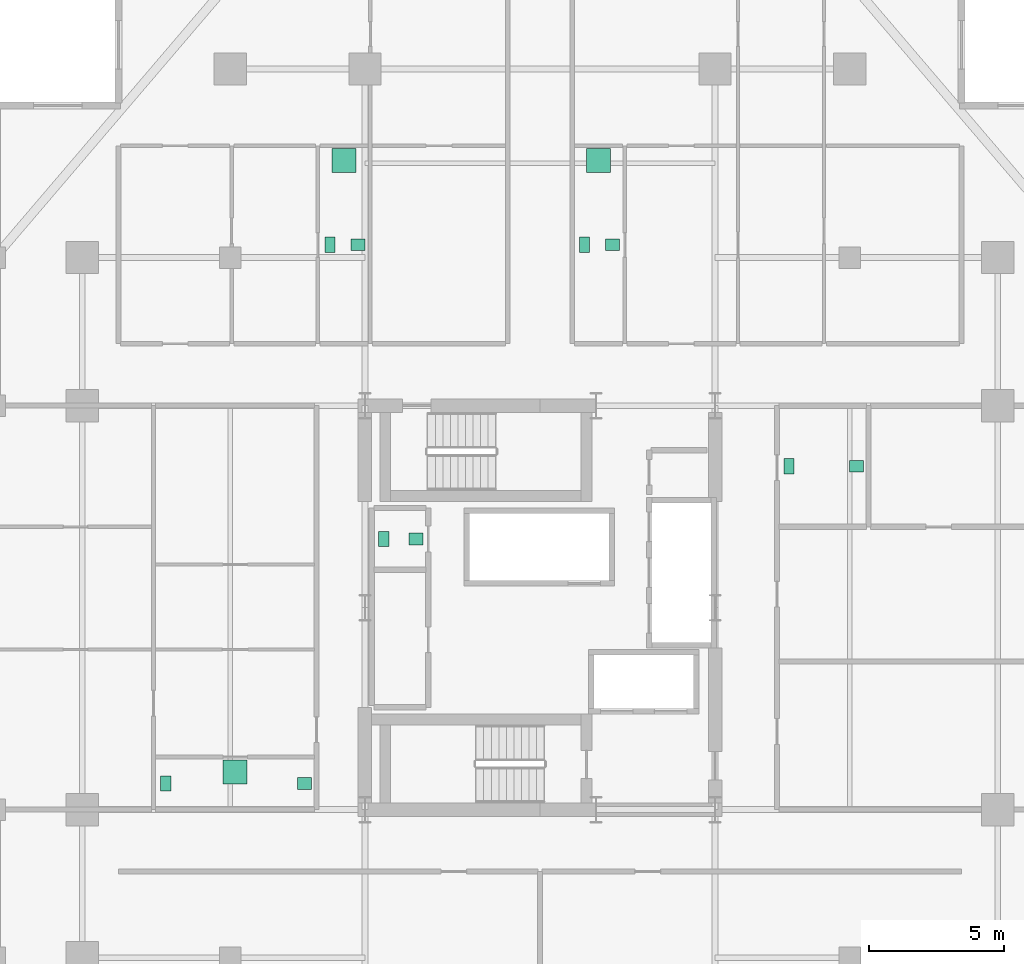
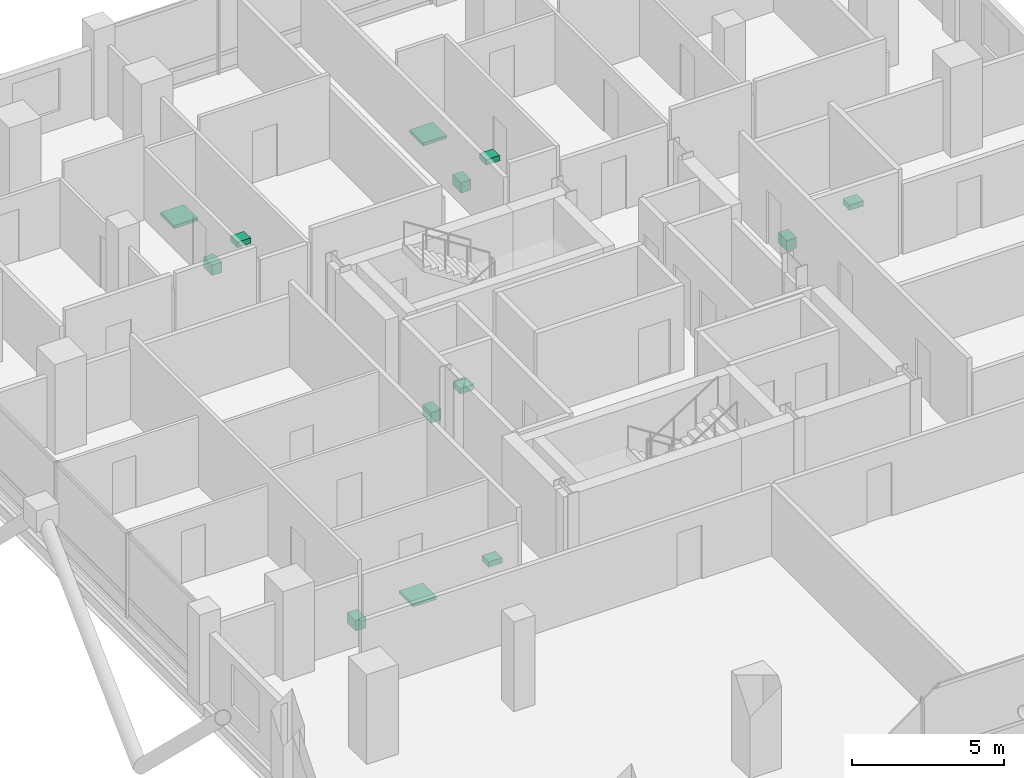
# One storey, part 22 of 22: 13 sanitary terminals.
"""IFC4 building model written with IfcOpenShell, lengths in metres."""

from ifc_helpers import new_model, si_unit, direction, frame, origin, origin_2d, place, context, subcontext, project, spatial, rectangle, extrude, material, type_object, element, save


model = new_model("IFC4")

# Units and contexts
model_context = context("Model", 3, precision=1e-05, world=origin(), true_north=direction((0.0, 1.0)))
body_context = subcontext(model_context, "Body", "Model", "MODEL_VIEW")
ifc_project = project(units=[si_unit("LENGTHUNIT", "METRE"), si_unit("AREAUNIT", "SQUARE_METRE"), si_unit("VOLUMEUNIT", "CUBIC_METRE"), si_unit("PLANEANGLEUNIT", "RADIAN"), si_unit("MASSUNIT", "GRAM", prefix="KILO")], contexts=[model_context])

# Site, building, storey
site_placement = place(None, origin())
site = spatial("IfcSite", under=ifc_project, at=site_placement, CompositionType="ELEMENT")
building_placement = place(site_placement, origin())
building = spatial("IfcBuilding", under=site, at=building_placement, Name="Barlavira Tower and Art Museum", CompositionType="ELEMENT")
storey_placement = place(building_placement, frame((0.0, 0.0, 129.60009765625)))
storey = spatial("IfcBuildingStorey", under=building, at=storey_placement, Name="L32", CompositionType="ELEMENT", Elevation=129.60009765625)

# Sanitary terminals
ifc_material = material(Name="Vitreous glazed ceramic", Category="ceramic")
sanitary_terminal_type_1 = type_object("IfcSanitaryTerminalType", Name="Countertop Ceramic Wash Hand Basin", PredefinedType="WASHHANDBASIN", material=ifc_material)
for number, where, z_axis, x_axis, name in (
    (1, (-4.60009765625, 2.550048828125, 0.73974609375), (0.0, 0.0, 1.0), (1.0, 0.0, 0.0), "L32-C-REC1W Wash Basin"),
    (2, (11.75, 5.25, 0.73974609375), (0.0, 0.0, 1.0), (1.0, 0.0, 0.0), "L32-SKY-AWC Wash Basin"),
    (3, (-6.75, 13.47509765625, 0.73974609375), (0.0, 0.0, 1.0), (1.0, 0.0, 0.0), "L32-SKY-NW-BTH1 Wash Basin"),
    (4, (2.699951171875, 13.47509765625, 0.73974609375), (0.0, 0.0, 1.0), (1.0, 0.0, 0.0), "L32-SKY-NE-BTH1 Wash Basin"),
    (5, (-8.75, -6.52490234375, 0.73974609375), (0.0, 0.0, 1.0), (1.0, 0.0, 0.0), "L32-SKY-W1-BTH1 Wash Basin"),
):
    element("IfcSanitaryTerminal", number, at=place(storey_placement, frame(where, z_axis=z_axis, x_axis=x_axis)), inside=storey, type_object=sanitary_terminal_type_1, Name=name, PredefinedType="WASHHANDBASIN", context=body_context, shape_type="SweptSolid", body=[
        extrude(rectangle(XDim=0.52001953125, YDim=0.43994140625, at=origin_2d()), origin(), (0.0, 0.0, 1.0), 0.219970703125),
    ])
sanitary_terminal_type_2 = type_object("IfcSanitaryTerminalType", Name="Walk-In Thermostatic Rain Shower Unit", PredefinedType="SHOWER", material=ifc_material)
for number, where, z_axis, x_axis, name in (
    (6, (-7.27490234375, 16.60009765625, -0.000244140625), (0.0, 0.0, 1.0), (1.0, 0.0, 0.0), "L32-SKY-NW-BTH1 Rain Shower"),
    (7, (2.175048828125, 16.60009765625, -0.000244140625), (0.0, 0.0, 1.0), (1.0, 0.0, 0.0), "L32-SKY-NE-BTH1 Rain Shower"),
    (8, (-11.324951171875, -6.10009765625, -0.000244140625), (0.0, 0.0, 1.0), (1.0, 0.0, 0.0), "L32-SKY-W1-BTH1 Rain Shower"),
):
    element("IfcSanitaryTerminal", number, at=place(storey_placement, frame(where, z_axis=z_axis, x_axis=x_axis)), inside=storey, type_object=sanitary_terminal_type_2, Name=name, PredefinedType="SHOWER", context=body_context, shape_type="SweptSolid", body=[
        extrude(rectangle(XDim=0.89990234375, YDim=0.89990234375, at=origin_2d()), origin(), (0.0, 0.0, 1.0), 0.1201171875),
    ])
sanitary_terminal_type_3 = type_object("IfcSanitaryTerminalType", Name="Wall-Hung Dual-Flush Vitreous WC Pan", PredefinedType="TOILETPAN", material=ifc_material)
for number, where, z_axis, x_axis, name in (
    (9, (-5.800048828125, 2.550048828125, 0.0), (0.0, 0.0, 1.0), (1.0, 0.0, 0.0), "L32-C-REC1W WC Pan"),
    (10, (9.25, 5.25, 0.0), (0.0, 0.0, 1.0), (1.0, 0.0, 0.0), "L32-SKY-AWC WC Pan"),
    (11, (-7.800048828125, 13.47509765625, 0.0), (0.0, 0.0, 1.0), (1.0, 0.0, 0.0), "L32-SKY-NW-BTH1 WC Pan"),
    (12, (1.64990234375, 13.47509765625, 0.0), (0.0, 0.0, 1.0), (1.0, 0.0, 0.0), "L32-SKY-NE-BTH1 WC Pan"),
    (13, (-13.89990234375, -6.52490234375, 0.0), (0.0, 0.0, 1.0), (1.0, 0.0, 0.0), "L32-SKY-W1-BTH1 WC Pan"),
):
    element("IfcSanitaryTerminal", number, at=place(storey_placement, frame(where, z_axis=z_axis, x_axis=x_axis)), inside=storey, type_object=sanitary_terminal_type_3, Name=name, PredefinedType="TOILETPAN", context=body_context, shape_type="SweptSolid", body=[
        extrude(rectangle(XDim=0.3798828125, YDim=0.56005859375, at=origin_2d()), origin(), (0.0, 0.0, 1.0), 0.419921875),
    ])

save(model, "model.ifc")
